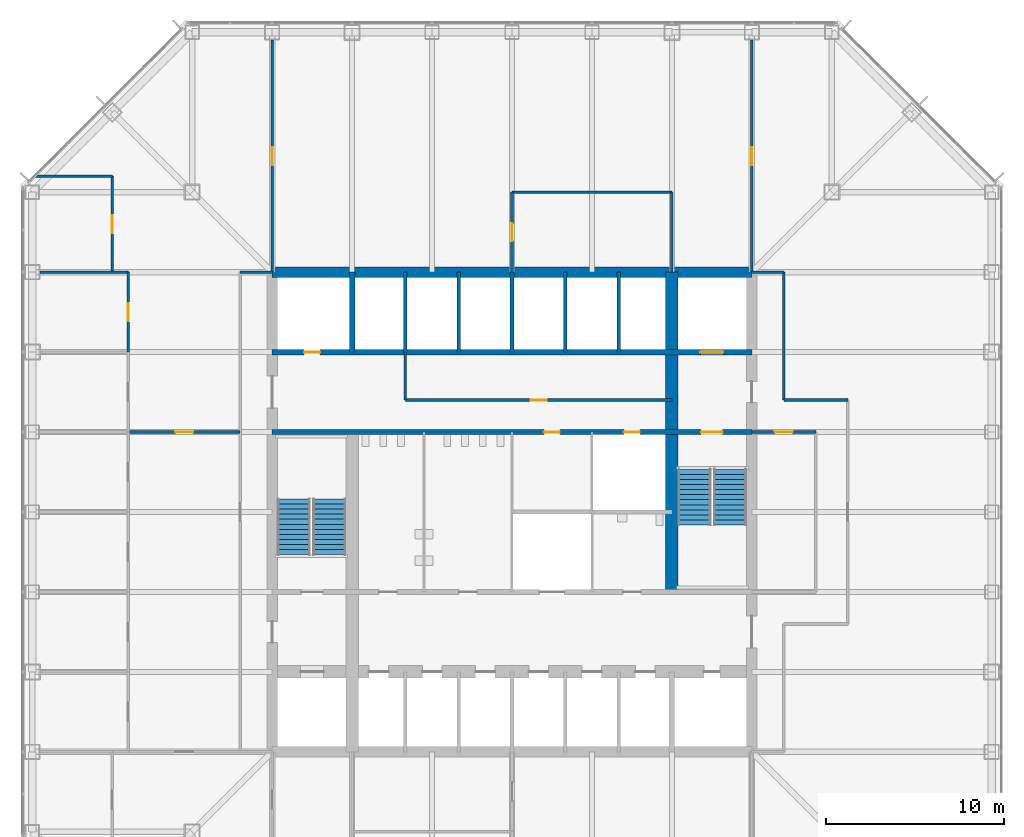
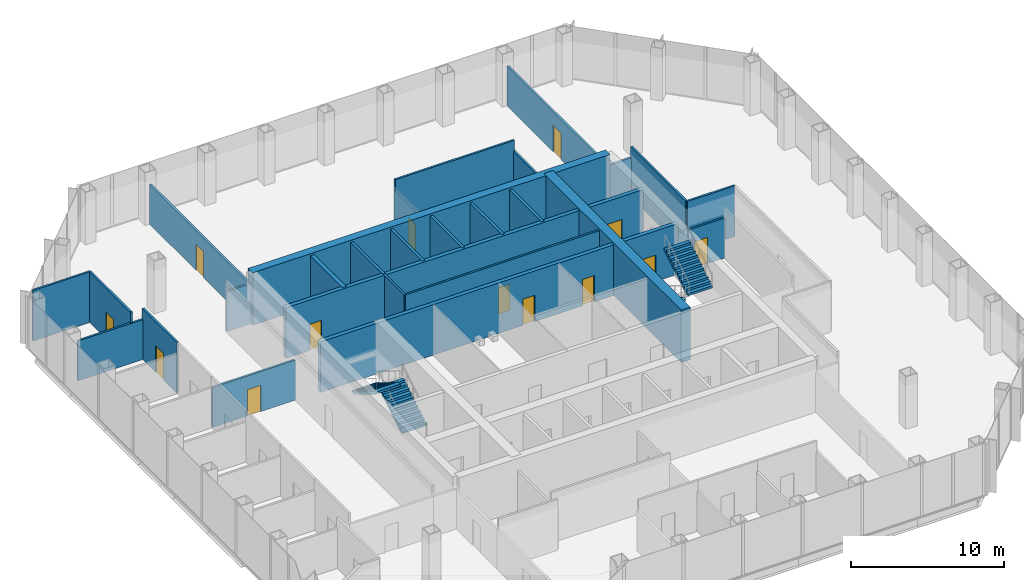
# One storey, part 10 of 12: 27 walls, 13 doors, 4 stair flights, 13 openings, 2 elements without a shape of their own.
"""IFC4 building model written with IfcOpenShell, lengths in metres."""

from ifc_helpers import new_model, si_unit, direction, frame, frame_2d, origin, place, context, subcontext, project, spatial, polyline, rectangle, outline, extrude, material, layer, layer_set, type_object, element, fill, aggregate, save


model = new_model("IFC4")

# Units and contexts
model_context = context("Model", 3, precision=1e-05, world=origin(), true_north=direction((0.0, 1.0)))
body_context = subcontext(model_context, "Body", "Model", "MODEL_VIEW")
ifc_project = project(units=[si_unit("LENGTHUNIT", "METRE"), si_unit("AREAUNIT", "SQUARE_METRE"), si_unit("VOLUMEUNIT", "CUBIC_METRE"), si_unit("PLANEANGLEUNIT", "RADIAN"), si_unit("MASSUNIT", "GRAM", prefix="KILO")], contexts=[model_context])

# Site, building, storey
site_placement = place(None, origin())
site = spatial("IfcSite", under=ifc_project, at=site_placement, CompositionType="ELEMENT")
building_placement = place(site_placement, origin())
building = spatial("IfcBuilding", under=site, at=building_placement, Name="Corais Broadcast Tower", CompositionType="ELEMENT")
storey_placement = place(building_placement, frame((0.0, 0.0, 92.0)))
storey = spatial("IfcBuildingStorey", under=building, at=storey_placement, Name="L20", CompositionType="ELEMENT", Elevation=92.0)

# Wall
ifc_material_1 = material(Name="Concrete blockwork class A, grouted, two-hour", Category="masonry")
ifc_layer_1 = layer(ifc_material_1, 0.300048828125)
ifc_layer_set_1 = layer_set([ifc_layer_1], Name="Concrete blockwork class A, grouted, two-hour")
wall_type_1 = type_object("IfcWallType", Name="Core lobby wall 300", PredefinedType="SOLIDWALL", material=ifc_layer_set_1)
wall_1_placement = place(storey_placement, frame((18.0, 36.0, 0.0), z_axis=(0.0, 0.0, 1.0), x_axis=(0.0, 1.0, 0.0)))
element("IfcWall", 1, at=wall_1_placement, inside=storey, type_object=wall_type_1, Name="CL1 core shaft wall X18B L20", PredefinedType="SOLIDWALL", context=body_context, shape_type="SweptSolid", body=[
    extrude(rectangle(XDim=4.5, YDim=0.300048828125, at=frame_2d((2.25, 0.0))), origin(), (0.0, 0.0, 1.0), 4.0400390625),
])

# Wall, openings, doors
wall_2_placement = place(storey_placement, frame((13.5, 31.5, 0.0), z_axis=(0.0, 0.0, 1.0), x_axis=(1.0, 0.0, 0.0)))
wall_2 = element("IfcWall", 2, at=wall_2_placement, inside=storey, type_object=wall_type_1, Name="CL1 core lobby wall Y315 L20", PredefinedType="SOLIDWALL", context=body_context, shape_type="SweptSolid", body=[
    extrude(rectangle(XDim=27.0, YDim=0.300048828125, at=frame_2d((13.5, 0.0))), origin(), (0.0, 0.0, 1.0), 4.0400390625),
])
opening_1_placement = place(wall_2_placement, frame((24.14990234375, 0.0, 0.0)))
opening_1 = element("IfcOpeningElement", 3, at=opening_1_placement, cuts=wall_2, Name="Opening FD1", PredefinedType="OPENING", context=body_context, shape_type="SweptSolid", body=[
    extrude(rectangle(XDim=1.199951171875, YDim=2.10009765625, at=frame_2d((0.60009765625, 1.050048828125))), frame((0.0, 0.159912109375, 0.0), z_axis=(0.0, -1.0, 0.0), x_axis=(1.0, 0.0, 0.0)), (0.0, 0.0, 1.0), 0.320068359375),
])
opening_2_placement = place(wall_2_placement, frame((15.300048828125, 0.0, 0.0)))
opening_2 = element("IfcOpeningElement", 4, at=opening_2_placement, cuts=wall_2, Name="Opening RD1", PredefinedType="OPENING", context=body_context, shape_type="SweptSolid", body=[
    extrude(rectangle(XDim=0.89990234375, YDim=2.10009765625, at=frame_2d((0.449951171875, 1.050048828125))), frame((0.0, 0.159912109375, 0.0), z_axis=(0.0, -1.0, 0.0), x_axis=(1.0, 0.0, 0.0)), (0.0, 0.0, 1.0), 0.320068359375),
])
opening_3_placement = place(wall_2_placement, frame((19.800048828125, 0.0, 0.0)))
opening_3 = element("IfcOpeningElement", 5, at=opening_3_placement, cuts=wall_2, Name="Opening RD1", PredefinedType="OPENING", context=body_context, shape_type="SweptSolid", body=[
    extrude(rectangle(XDim=0.89990234375, YDim=2.10009765625, at=frame_2d((0.449951171875, 1.050048828125))), frame((0.0, 0.159912109375, 0.0), z_axis=(0.0, -1.0, 0.0), x_axis=(1.0, 0.0, 0.0)), (0.0, 0.0, 1.0), 0.320068359375),
])
ifc_material_2 = material(Name="Steel fire door", Category="steel")
door_type_1 = type_object("IfcDoorType", Name="Fire door 1200x2100", OperationType="SINGLE_SWING_LEFT", PredefinedType="DOOR", material=ifc_material_2)
door_1_placement = place(opening_1_placement, origin())
door_1 = element("IfcDoor", 6, at=door_1_placement, inside=storey, type_object=door_type_1, Name="FD1 stair B door L20", OperationType="SINGLE_SWING_RIGHT", OverallHeight=2.10009765625, OverallWidth=1.199951171875, PredefinedType="DOOR", context=body_context, shape_type="SweptSolid", body=[
    extrude(rectangle(XDim=1.199951171875, YDim=2.10009765625, at=frame_2d((0.60009765625, 1.050048828125))), frame((0.0, 0.02490234375, 0.0), z_axis=(0.0, -1.0, 0.0), x_axis=(1.0, 0.0, 0.0)), (0.0, 0.0, 1.0), 0.050048828125),
])
fill(opening_1, door_1)
ifc_material_3 = material(Name="Steel fire door", Category="steel")
door_type_2 = type_object("IfcDoorType", Name="Riser door 900x2100", OperationType="SINGLE_SWING_LEFT", PredefinedType="DOOR", material=ifc_material_3)
door_2_placement = place(opening_2_placement, origin())
door_2 = element("IfcDoor", 7, at=door_2_placement, inside=storey, type_object=door_type_2, Name="RD1 cleaner's store door L20", OperationType="SINGLE_SWING_RIGHT", OverallHeight=2.10009765625, OverallWidth=0.89990234375, PredefinedType="DOOR", context=body_context, shape_type="SweptSolid", body=[
    extrude(rectangle(XDim=0.89990234375, YDim=2.10009765625, at=frame_2d((0.449951171875, 1.050048828125))), frame((0.0, 0.02490234375, 0.0), z_axis=(0.0, -1.0, 0.0), x_axis=(1.0, 0.0, 0.0)), (0.0, 0.0, 1.0), 0.050048828125),
])
fill(opening_2, door_2)
door_3_placement = place(opening_3_placement, origin())
door_3 = element("IfcDoor", 8, at=door_3_placement, inside=storey, type_object=door_type_2, Name="RD1 riser door L20", OperationType="SINGLE_SWING_RIGHT", OverallHeight=2.10009765625, OverallWidth=0.89990234375, PredefinedType="DOOR", context=body_context, shape_type="SweptSolid", body=[
    extrude(rectangle(XDim=0.89990234375, YDim=2.10009765625, at=frame_2d((0.449951171875, 1.050048828125))), frame((0.0, 0.02490234375, 0.0), z_axis=(0.0, -1.0, 0.0), x_axis=(1.0, 0.0, 0.0)), (0.0, 0.0, 1.0), 0.050048828125),
])
fill(opening_3, door_3)

# Walls
ifc_material_4 = material(Name="Concrete C50/60", Category="concrete")
ifc_layer_2 = layer(ifc_material_4, 0.699951171875)
ifc_layer_set_2 = layer_set([ifc_layer_2], Name="Concrete C50/60")
wall_type_2 = type_object("IfcWallType", Name="Core spine wall 700", PredefinedType="SHEAR", material=ifc_layer_set_2)
wall_3_placement = place(storey_placement, frame((36.0, 22.5, 0.0), z_axis=(0.0, 0.0, 1.0), x_axis=(0.0, 1.0, 0.0)))
element("IfcWall", 9, at=wall_3_placement, inside=storey, type_object=wall_type_2, Name="CR700 core wall X36B L20", PredefinedType="SHEAR", context=body_context, shape_type="SweptSolid", body=[
    extrude(rectangle(XDim=18.0, YDim=0.699951171875, at=frame_2d((9.0, 0.0))), origin(), (0.0, 0.0, 1.0), 4.199951171875),
])
ifc_material_5 = material(Name="Concrete C50/60", Category="concrete")
ifc_layer_3 = layer(ifc_material_5, 0.60009765625)
ifc_layer_set_3 = layer_set([ifc_layer_3], Name="Concrete C50/60")
wall_type_3 = type_object("IfcWallType", Name="Core wall 600", PredefinedType="SHEAR", material=ifc_layer_set_3)
wall_4_placement = place(storey_placement, frame((40.5, 40.5, 0.0), z_axis=(0.0, 0.0, 1.0), x_axis=(-1.0, 0.0, 0.0)))
element("IfcWall", 10, at=wall_4_placement, inside=storey, type_object=wall_type_3, Name="CR600 core wall N L20", PredefinedType="SHEAR", context=body_context, shape_type="SweptSolid", body=[
    extrude(rectangle(XDim=27.0, YDim=0.60009765625, at=frame_2d((13.5, 0.0))), origin(), (0.0, 0.0, 1.0), 4.199951171875),
])

# Wall, openings, doors
ifc_material_6 = material(Name="Concrete blockwork class A, grouted, four-hour", Category="masonry")
ifc_layer_4 = layer(ifc_material_6, 0.300048828125)
ifc_layer_set_4 = layer_set([ifc_layer_4], Name="Concrete blockwork class A, grouted, four-hour")
wall_type_4 = type_object("IfcWallType", Name="Emergency lift shaft wall 300", PredefinedType="SOLIDWALL", material=ifc_layer_set_4)
wall_5_placement = place(storey_placement, frame((13.5, 36.0, 0.0), z_axis=(0.0, 0.0, 1.0), x_axis=(1.0, 0.0, 0.0)))
wall_5 = element("IfcWall", 11, at=wall_5_placement, inside=storey, type_object=wall_type_4, Name="LS1 core lobby wall Y36 L20", PredefinedType="SOLIDWALL", context=body_context, shape_type="SweptSolid", body=[
    extrude(rectangle(XDim=27.0, YDim=0.300048828125, at=frame_2d((13.5, 0.0))), origin(), (0.0, 0.0, 1.0), 4.0400390625),
])
opening_4_placement = place(wall_5_placement, frame((1.800048828125, 0.0, 0.0)))
opening_4 = element("IfcOpeningElement", 12, at=opening_4_placement, cuts=wall_5, Name="Opening RD1", PredefinedType="OPENING", context=body_context, shape_type="SweptSolid", body=[
    extrude(rectangle(XDim=0.89990234375, YDim=2.10009765625, at=frame_2d((0.449951171875, 1.050048828125))), frame((0.0, 0.159912109375, 0.0), z_axis=(0.0, -1.0, 0.0), x_axis=(1.0, 0.0, 0.0)), (0.0, 0.0, 1.0), 0.320068359375),
])
opening_5_placement = place(wall_5_placement, frame((24.10009765625, 0.0, 0.0)))
opening_5 = element("IfcOpeningElement", 13, at=opening_5_placement, cuts=wall_5, Name="Opening LD2", PredefinedType="OPENING", context=body_context, shape_type="SweptSolid", body=[
    extrude(rectangle(XDim=1.300048828125, YDim=2.199951171875, at=frame_2d((0.64990234375, 1.10009765625))), frame((0.0, 0.159912109375, 0.0), z_axis=(0.0, -1.0, 0.0), x_axis=(1.0, 0.0, 0.0)), (0.0, 0.0, 1.0), 0.320068359375),
])
ifc_material_7 = material(Name="Stainless steel lift door", Category="steel")
door_type_3 = type_object("IfcDoorType", Name="Lift landing door 1300x2200", OperationType="SLIDING_TO_LEFT", PredefinedType="DOOR", material=ifc_material_7)
door_4_placement = place(opening_5_placement, origin())
door_4 = element("IfcDoor", 14, at=door_4_placement, inside=storey, type_object=door_type_3, Name="LD2 FL2 landing door L20", OperationType="SLIDING_TO_LEFT", OverallHeight=2.199951171875, OverallWidth=1.300048828125, PredefinedType="DOOR", context=body_context, shape_type="SweptSolid", body=[
    extrude(rectangle(XDim=1.300048828125, YDim=2.199951171875, at=frame_2d((0.64990234375, 1.10009765625))), frame((0.0, 0.02490234375, 0.0), z_axis=(0.0, -1.0, 0.0), x_axis=(1.0, 0.0, 0.0)), (0.0, 0.0, 1.0), 0.050048828125),
])
fill(opening_5, door_4)
door_5_placement = place(opening_4_placement, origin())
door_5 = element("IfcDoor", 15, at=door_5_placement, inside=storey, type_object=door_type_2, Name="RD1 riser door L20", OperationType="SINGLE_SWING_LEFT", OverallHeight=2.10009765625, OverallWidth=0.89990234375, PredefinedType="DOOR", context=body_context, shape_type="SweptSolid", body=[
    extrude(rectangle(XDim=0.89990234375, YDim=2.10009765625, at=frame_2d((0.449951171875, 1.050048828125))), frame((0.0, 0.02490234375, 0.0), z_axis=(0.0, -1.0, 0.0), x_axis=(1.0, 0.0, 0.0)), (0.0, 0.0, 1.0), 0.050048828125),
])
fill(opening_4, door_5)

# Wall, opening, door
ifc_material_8 = material(Name="Two layers of fire-rated gypsum board each side on steel studs", Category="steel")
ifc_layer_5 = layer(ifc_material_8, 0.14990234375)
ifc_layer_set_5 = layer_set([ifc_layer_5], Name="Two layers of fire-rated gypsum board each side on steel studs")
wall_type_5 = type_object("IfcWallType", Name="Fire-rated partition 150 EI 60", PredefinedType="PARTITIONING", material=ifc_layer_set_5)
wall_6_placement = place(storey_placement, frame((21.0, 33.300048828125, 0.0), z_axis=(0.0, 0.0, 1.0), x_axis=(1.0, 0.0, 0.0)))
wall_6 = element("IfcWall", 16, at=wall_6_placement, inside=storey, type_object=wall_type_5, Name="IW7 partition L20", PredefinedType="PARTITIONING", context=body_context, shape_type="SweptSolid", body=[
    extrude(rectangle(XDim=15.0, YDim=0.14990234375, at=frame_2d((7.5, 0.0))), origin(), (0.0, 0.0, 1.0), 4.0400390625),
])
opening_6_placement = place(wall_6_placement, frame((7.050048828125, 0.0, 0.0)))
opening_6 = element("IfcOpeningElement", 17, at=opening_6_placement, cuts=wall_6, Name="Opening RD1", PredefinedType="OPENING", context=body_context, shape_type="SweptSolid", body=[
    extrude(rectangle(XDim=0.89990234375, YDim=2.10009765625, at=frame_2d((0.449951171875, 1.050048828125))), frame((0.0, 0.0849609375, 0.0), z_axis=(0.0, -1.0, 0.0), x_axis=(1.0, 0.0, 0.0)), (0.0, 0.0, 1.0), 0.169921875),
])
door_6_placement = place(opening_6_placement, origin())
door_6 = element("IfcDoor", 18, at=door_6_placement, inside=storey, type_object=door_type_2, Name="RD1 av equipment room door L20", OperationType="SINGLE_SWING_LEFT", OverallHeight=2.10009765625, OverallWidth=0.89990234375, PredefinedType="DOOR", context=body_context, shape_type="SweptSolid", body=[
    extrude(rectangle(XDim=0.89990234375, YDim=2.10009765625, at=frame_2d((0.449951171875, 1.050048828125))), frame((0.0, 0.02490234375, 0.0), z_axis=(0.0, -1.0, 0.0), x_axis=(1.0, 0.0, 0.0)), (0.0, 0.0, 1.0), 0.050048828125),
])
fill(opening_6, door_6)

# Walls
wall_7_placement = place(storey_placement, frame((21.0, 33.300048828125, 0.0), z_axis=(0.0, 0.0, 1.0), x_axis=(0.0, 1.0, 0.0)))
element("IfcWall", 19, at=wall_7_placement, inside=storey, type_object=wall_type_5, Name="IW7 partition L20", PredefinedType="PARTITIONING", context=body_context, shape_type="SweptSolid", body=[
    extrude(rectangle(XDim=2.699951171875, YDim=0.14990234375, at=frame_2d((1.35009765625, 0.0))), origin(), (0.0, 0.0, 1.0), 4.0400390625),
])
ifc_material_9 = material(Name="Gypsum board on steel studs", Category="steel")
ifc_layer_6 = layer(ifc_material_9, 0.14990234375)
ifc_layer_set_6 = layer_set([ifc_layer_6], Name="Gypsum board on steel studs")
wall_type_6 = type_object("IfcWallType", Name="Partition 150", PredefinedType="PARTITIONING", material=ifc_layer_set_6)
wall_8_placement = place(storey_placement, frame((42.300048828125, 33.300048828125, 0.0), z_axis=(0.0, 0.0, 1.0), x_axis=(0.0, 1.0, 0.0)))
element("IfcWall", 20, at=wall_8_placement, inside=storey, type_object=wall_type_6, Name="IW3 corridor wall L20", PredefinedType="PARTITIONING", context=body_context, shape_type="SweptSolid", body=[
    extrude(rectangle(XDim=7.199951171875, YDim=0.14990234375, at=frame_2d((3.60009765625, 0.0))), origin(), (0.0, 0.0, 1.0), 4.0400390625),
])
wall_9_placement = place(storey_placement, frame((45.89990234375, 33.300048828125, 0.0), z_axis=(0.0, 0.0, 1.0), x_axis=(-1.0, 0.0, 0.0)))
element("IfcWall", 21, at=wall_9_placement, inside=storey, type_object=wall_type_6, Name="IW3 corridor wall L20", PredefinedType="PARTITIONING", context=body_context, shape_type="SweptSolid", body=[
    extrude(rectangle(XDim=3.599853515625, YDim=0.14990234375, at=frame_2d((1.7998046875, 0.0))), origin(), (0.0, 0.0, 1.0), 4.0400390625),
])
for number, where, z_axis, x_axis, name in (
    (22, (13.510009765625, 40.5, 0.0), (0.0, 0.0, 1.0), (-1.0, 0.0, 0.0), "IW3 corridor wall L20"),
    (23, (42.300048828125, 40.5, 0.0), (0.0, 0.0, 1.0), (-1.0, 0.0, 0.0), "IW3 corridor wall L20"),
):
    element("IfcWall", number, at=place(storey_placement, frame(where, z_axis=z_axis, x_axis=x_axis)), inside=storey, type_object=wall_type_6, Name=name, PredefinedType="PARTITIONING", context=body_context, shape_type="SweptSolid", body=[
        extrude(rectangle(XDim=1.81005859375, YDim=0.14990234375, at=frame_2d((0.905029296875, 0.0))), origin(), (0.0, 0.0, 1.0), 3.18896484375),
    ])

# Wall, opening, door
wall_10_placement = place(storey_placement, frame((5.39990234375, 36.0, 0.0), z_axis=(0.0, 0.0, 1.0), x_axis=(0.0, 1.0, 0.0)))
wall_10 = element("IfcWall", 24, at=wall_10_placement, inside=storey, type_object=wall_type_6, Name="IW3 partition L20", PredefinedType="PARTITIONING", context=body_context, shape_type="SweptSolid", body=[
    extrude(rectangle(XDim=4.5, YDim=0.14990234375, at=frame_2d((2.25, 0.0))), origin(), (0.0, 0.0, 1.0), 4.0400390625),
])
opening_7_placement = place(wall_10_placement, frame((1.75, 0.0, 0.0)))
opening_7 = element("IfcOpeningElement", 25, at=opening_7_placement, cuts=wall_10, Name="Opening D1", PredefinedType="OPENING", context=body_context, shape_type="SweptSolid", body=[
    extrude(rectangle(XDim=1.0, YDim=2.10009765625, at=frame_2d((0.5, 1.050048828125))), frame((0.0, 0.0849609375, 0.0), z_axis=(0.0, -1.0, 0.0), x_axis=(1.0, 0.0, 0.0)), (0.0, 0.0, 1.0), 0.169921875),
])
ifc_material_10 = material(Name="Timber door", Category="wood")
door_type_4 = type_object("IfcDoorType", Name="Single door 1000x2100", OperationType="SINGLE_SWING_LEFT", PredefinedType="DOOR", material=ifc_material_10)
door_7_placement = place(opening_7_placement, origin())
door_7 = element("IfcDoor", 26, at=door_7_placement, inside=storey, type_object=door_type_4, Name="D1 Office door", OperationType="SINGLE_SWING_LEFT", OverallHeight=2.10009765625, OverallWidth=1.0, PredefinedType="DOOR", context=body_context, shape_type="SweptSolid", body=[
    extrude(rectangle(XDim=1.0, YDim=2.10009765625, at=frame_2d((0.5, 1.050048828125))), frame((0.0, 0.02490234375, 0.0), z_axis=(0.0, -1.0, 0.0), x_axis=(1.0, 0.0, 0.0)), (0.0, 0.0, 1.0), 0.050048828125),
])
fill(opening_7, door_7)

# Wall
wall_11_placement = place(storey_placement, frame((5.39990234375, 40.5, 0.0), z_axis=(0.0, 0.0, 1.0), x_axis=(-1.0, 0.0, 0.0)))
element("IfcWall", 27, at=wall_11_placement, inside=storey, type_object=wall_type_6, Name="IW3 partition L20", PredefinedType="PARTITIONING", context=body_context, shape_type="SweptSolid", body=[
    extrude(rectangle(XDim=4.96484375, YDim=0.14990234375, at=frame_2d((2.482421875, 0.0))), origin(), (0.0, 0.0, 1.0), 3.18896484375),
])

# Wall, opening, door
wall_12_placement = place(storey_placement, frame((4.5, 40.5, 0.0), z_axis=(0.0, 0.0, 1.0), x_axis=(0.0, 1.0, 0.0)))
wall_12 = element("IfcWall", 28, at=wall_12_placement, inside=storey, type_object=wall_type_6, Name="IW3 partition L20", PredefinedType="PARTITIONING", context=body_context, shape_type="SweptSolid", body=[
    extrude(rectangle(XDim=5.39990234375, YDim=0.14990234375, at=frame_2d((2.699951171875, 0.0))), origin(), (0.0, 0.0, 1.0), 4.0400390625),
])
opening_8_placement = place(wall_12_placement, frame((2.199951171875, 0.0, 0.0)))
opening_8 = element("IfcOpeningElement", 29, at=opening_8_placement, cuts=wall_12, Name="Opening D1", PredefinedType="OPENING", context=body_context, shape_type="SweptSolid", body=[
    extrude(rectangle(XDim=1.0, YDim=2.10009765625, at=frame_2d((0.5, 1.050048828125))), frame((0.0, 0.0849609375, 0.0), z_axis=(0.0, -1.0, 0.0), x_axis=(1.0, 0.0, 0.0)), (0.0, 0.0, 1.0), 0.169921875),
])
door_8_placement = place(opening_8_placement, origin())
door_8 = element("IfcDoor", 30, at=door_8_placement, inside=storey, type_object=door_type_4, Name="D1 Office door", OperationType="SINGLE_SWING_LEFT", OverallHeight=2.10009765625, OverallWidth=1.0, PredefinedType="DOOR", context=body_context, shape_type="SweptSolid", body=[
    extrude(rectangle(XDim=1.0, YDim=2.10009765625, at=frame_2d((0.5, 1.050048828125))), frame((0.0, 0.02490234375, 0.0), z_axis=(0.0, -1.0, 0.0), x_axis=(1.0, 0.0, 0.0)), (0.0, 0.0, 1.0), 0.050048828125),
])
fill(opening_8, door_8)

# Wall
wall_13_placement = place(storey_placement, frame((4.5, 45.89990234375, 0.0), z_axis=(0.0, 0.0, 1.0), x_axis=(-1.0, 0.0, 0.0)))
element("IfcWall", 31, at=wall_13_placement, inside=storey, type_object=wall_type_6, Name="IW3 partition L20", PredefinedType="PARTITIONING", context=body_context, shape_type="SweptSolid", body=[
    extrude(rectangle(XDim=4.33544921875, YDim=0.14990234375, at=frame_2d((2.167724609375, 0.0))), origin(), (0.0, 0.0, 1.0), 4.0400390625),
])

# Wall, opening, door
wall_14_placement = place(storey_placement, frame((44.10009765625, 31.5, 0.0), z_axis=(0.0, 0.0, 1.0), x_axis=(-1.0, 0.0, 0.0)))
wall_14 = element("IfcWall", 32, at=wall_14_placement, inside=storey, type_object=wall_type_6, Name="IW3 partition L20", PredefinedType="PARTITIONING", context=body_context, shape_type="SweptSolid", body=[
    extrude(rectangle(XDim=3.60009765625, YDim=0.14990234375, at=frame_2d((1.800048828125, 0.0))), origin(), (0.0, 0.0, 1.0), 3.18896484375),
])
opening_9_placement = place(wall_14_placement, frame((1.300048828125, 0.0, 0.0)))
opening_9 = element("IfcOpeningElement", 33, at=opening_9_placement, cuts=wall_14, Name="Opening D1", PredefinedType="OPENING", context=body_context, shape_type="SweptSolid", body=[
    extrude(rectangle(XDim=1.0, YDim=2.10009765625, at=frame_2d((0.5, 1.050048828125))), frame((0.0, 0.0849609375, 0.0), z_axis=(0.0, -1.0, 0.0), x_axis=(1.0, 0.0, 0.0)), (0.0, 0.0, 1.0), 0.169921875),
])
door_9_placement = place(opening_9_placement, origin())
door_9 = element("IfcDoor", 34, at=door_9_placement, inside=storey, type_object=door_type_4, Name="D1 Pantry door", OperationType="SINGLE_SWING_LEFT", OverallHeight=2.10009765625, OverallWidth=1.0, PredefinedType="DOOR", context=body_context, shape_type="SweptSolid", body=[
    extrude(rectangle(XDim=1.0, YDim=2.10009765625, at=frame_2d((0.5, 1.050048828125))), frame((0.0, 0.02490234375, 0.0), z_axis=(0.0, -1.0, 0.0), x_axis=(1.0, 0.0, 0.0)), (0.0, 0.0, 1.0), 0.050048828125),
])
fill(opening_9, door_9)

# Walls
wall_15_placement = place(storey_placement, frame((36.0, 40.5, 0.0), z_axis=(0.0, 0.0, 1.0), x_axis=(0.0, 1.0, 0.0)))
element("IfcWall", 35, at=wall_15_placement, inside=storey, type_object=wall_type_6, Name="IW3 partition L20", PredefinedType="PARTITIONING", context=body_context, shape_type="SweptSolid", body=[
    extrude(rectangle(XDim=4.5, YDim=0.14990234375, at=frame_2d((2.25, 0.0))), origin(), (0.0, 0.0, 1.0), 3.18896484375),
])
wall_16_placement = place(storey_placement, frame((36.0, 45.0, 0.0), z_axis=(0.0, 0.0, 1.0), x_axis=(-1.0, 0.0, 0.0)))
element("IfcWall", 36, at=wall_16_placement, inside=storey, type_object=wall_type_6, Name="IW3 partition L20", PredefinedType="PARTITIONING", context=body_context, shape_type="SweptSolid", body=[
    extrude(rectangle(XDim=9.0, YDim=0.14990234375, at=frame_2d((4.5, 0.0))), origin(), (0.0, 0.0, 1.0), 4.0400390625),
])

# Wall, opening, door
wall_17_placement = place(storey_placement, frame((27.0, 45.0, 0.0), z_axis=(0.0, 0.0, 1.0), x_axis=(0.0, -1.0, 0.0)))
wall_17 = element("IfcWall", 37, at=wall_17_placement, inside=storey, type_object=wall_type_6, Name="IW3 partition L20", PredefinedType="PARTITIONING", context=body_context, shape_type="SweptSolid", body=[
    extrude(rectangle(XDim=4.5, YDim=0.14990234375, at=frame_2d((2.25, 0.0))), origin(), (0.0, 0.0, 1.0), 3.18896484375),
])
opening_10_placement = place(wall_17_placement, frame((1.75, 0.0, 0.0)))
opening_10 = element("IfcOpeningElement", 38, at=opening_10_placement, cuts=wall_17, Name="Opening D1", PredefinedType="OPENING", context=body_context, shape_type="SweptSolid", body=[
    extrude(rectangle(XDim=1.0, YDim=2.10009765625, at=frame_2d((0.5, 1.050048828125))), frame((0.0, 0.0849609375, 0.0), z_axis=(0.0, -1.0, 0.0), x_axis=(1.0, 0.0, 0.0)), (0.0, 0.0, 1.0), 0.169921875),
])
door_10_placement = place(opening_10_placement, origin())
door_10 = element("IfcDoor", 39, at=door_10_placement, inside=storey, type_object=door_type_4, Name="D1 Meeting room door", OperationType="SINGLE_SWING_LEFT", OverallHeight=2.10009765625, OverallWidth=1.0, PredefinedType="DOOR", context=body_context, shape_type="SweptSolid", body=[
    extrude(rectangle(XDim=1.0, YDim=2.10009765625, at=frame_2d((0.5, 1.050048828125))), frame((0.0, 0.02490234375, 0.0), z_axis=(0.0, -1.0, 0.0), x_axis=(1.0, 0.0, 0.0)), (0.0, 0.0, 1.0), 0.050048828125),
])
fill(opening_10, door_10)

wall_18_placement = place(storey_placement, frame((40.5, 53.554931640625, 0.0), z_axis=(0.0, 0.0, 1.0), x_axis=(0.0, -1.0, 0.0)))
wall_18 = element("IfcWall", 40, at=wall_18_placement, inside=storey, type_object=wall_type_6, Name="IW3 partition L20", PredefinedType="PARTITIONING", context=body_context, shape_type="SweptSolid", body=[
    extrude(rectangle(XDim=13.054931640625, YDim=0.14990234375, at=frame_2d((6.52734375, 0.0))), origin(), (0.0, 0.0, 1.0), 3.18896484375),
])
opening_11_placement = place(wall_18_placement, frame((6.027587890625, 0.0, 0.0)))
opening_11 = element("IfcOpeningElement", 41, at=opening_11_placement, cuts=wall_18, Name="Opening D1", PredefinedType="OPENING", context=body_context, shape_type="SweptSolid", body=[
    extrude(rectangle(XDim=1.0, YDim=2.10009765625, at=frame_2d((0.5, 1.050048828125))), frame((0.0, 0.0849609375, 0.0), z_axis=(0.0, -1.0, 0.0), x_axis=(1.0, 0.0, 0.0)), (0.0, 0.0, 1.0), 0.169921875),
])
door_11_placement = place(opening_11_placement, origin())
door_11 = element("IfcDoor", 42, at=door_11_placement, inside=storey, type_object=door_type_4, Name="D1 team room door L20", OperationType="SINGLE_SWING_LEFT", OverallHeight=2.10009765625, OverallWidth=1.0, PredefinedType="DOOR", context=body_context, shape_type="SweptSolid", body=[
    extrude(rectangle(XDim=1.0, YDim=2.10009765625, at=frame_2d((0.5, 1.050048828125))), frame((0.0, 0.02490234375, 0.0), z_axis=(0.0, -1.0, 0.0), x_axis=(1.0, 0.0, 0.0)), (0.0, 0.0, 1.0), 0.050048828125),
])
fill(opening_11, door_11)

wall_19_placement = place(storey_placement, frame((13.5, 40.5, 0.0), z_axis=(0.0, 0.0, 1.0), x_axis=(0.0, 1.0, 0.0)))
wall_19 = element("IfcWall", 43, at=wall_19_placement, inside=storey, type_object=wall_type_6, Name="IW3 partition L20", PredefinedType="PARTITIONING", context=body_context, shape_type="SweptSolid", body=[
    extrude(rectangle(XDim=13.054931640625, YDim=0.14990234375, at=frame_2d((6.52734375, 0.0))), origin(), (0.0, 0.0, 1.0), 3.18896484375),
])
opening_12_placement = place(wall_19_placement, frame((6.027587890625, 0.0, 0.0)))
opening_12 = element("IfcOpeningElement", 44, at=opening_12_placement, cuts=wall_19, Name="Opening D1", PredefinedType="OPENING", context=body_context, shape_type="SweptSolid", body=[
    extrude(rectangle(XDim=1.0, YDim=2.10009765625, at=frame_2d((0.5, 1.050048828125))), frame((0.0, 0.0849609375, 0.0), z_axis=(0.0, -1.0, 0.0), x_axis=(1.0, 0.0, 0.0)), (0.0, 0.0, 1.0), 0.169921875),
])
door_12_placement = place(opening_12_placement, origin())
door_12 = element("IfcDoor", 45, at=door_12_placement, inside=storey, type_object=door_type_4, Name="D1 team room door L20", OperationType="SINGLE_SWING_LEFT", OverallHeight=2.10009765625, OverallWidth=1.0, PredefinedType="DOOR", context=body_context, shape_type="SweptSolid", body=[
    extrude(rectangle(XDim=1.0, YDim=2.10009765625, at=frame_2d((0.5, 1.050048828125))), frame((0.0, 0.02490234375, 0.0), z_axis=(0.0, -1.0, 0.0), x_axis=(1.0, 0.0, 0.0)), (0.0, 0.0, 1.0), 0.050048828125),
])
fill(opening_12, door_12)

wall_20_placement = place(storey_placement, frame((11.699951171875, 31.5, 0.0), z_axis=(0.0, 0.0, 1.0), x_axis=(-1.0, 0.0, 0.0)))
wall_20 = element("IfcWall", 46, at=wall_20_placement, inside=storey, type_object=wall_type_6, Name="IW3 partition L20", PredefinedType="PARTITIONING", context=body_context, shape_type="SweptSolid", body=[
    extrude(rectangle(XDim=6.300048828125, YDim=0.14990234375, at=frame_2d((3.14990234375, 0.0))), origin(), (0.0, 0.0, 1.0), 3.18896484375),
])
opening_13_placement = place(wall_20_placement, frame((2.64990234375, 0.0, 0.0)))
opening_13 = element("IfcOpeningElement", 47, at=opening_13_placement, cuts=wall_20, Name="Opening D1", PredefinedType="OPENING", context=body_context, shape_type="SweptSolid", body=[
    extrude(rectangle(XDim=1.0, YDim=2.10009765625, at=frame_2d((0.5, 1.050048828125))), frame((0.0, 0.0849609375, 0.0), z_axis=(0.0, -1.0, 0.0), x_axis=(1.0, 0.0, 0.0)), (0.0, 0.0, 1.0), 0.169921875),
])
door_13_placement = place(opening_13_placement, origin())
door_13 = element("IfcDoor", 48, at=door_13_placement, inside=storey, type_object=door_type_4, Name="D1 team room door L20", OperationType="SINGLE_SWING_LEFT", OverallHeight=2.10009765625, OverallWidth=1.0, PredefinedType="DOOR", context=body_context, shape_type="SweptSolid", body=[
    extrude(rectangle(XDim=1.0, YDim=2.10009765625, at=frame_2d((0.5, 1.050048828125))), frame((0.0, 0.02490234375, 0.0), z_axis=(0.0, -1.0, 0.0), x_axis=(1.0, 0.0, 0.0)), (0.0, 0.0, 1.0), 0.050048828125),
])
fill(opening_13, door_13)

# Walls
ifc_material_11 = material(Name="Concrete blockwork class A, grouted, two-hour", Category="masonry")
ifc_layer_7 = layer(ifc_material_11, 0.199951171875)
ifc_layer_set_7 = layer_set([ifc_layer_7], Name="Concrete blockwork class A, grouted, two-hour")
wall_type_7 = type_object("IfcWallType", Name="Shaft wall 200", PredefinedType="PARTITIONING", material=ifc_layer_set_7)
for number, where, z_axis, x_axis, name in (
    (49, (21.0, 36.0, 0.0), (0.0, 0.0, 1.0), (0.0, 1.0, 0.0), "IW1 shaft wall L20"),
    (50, (24.0, 36.0, 0.0), (0.0, 0.0, 1.0), (0.0, 1.0, 0.0), "IW1 shaft wall L20"),
    (51, (27.0, 36.0, 0.0), (0.0, 0.0, 1.0), (0.0, 1.0, 0.0), "IW1 shaft wall L20"),
    (52, (30.0, 36.0, 0.0), (0.0, 0.0, 1.0), (0.0, 1.0, 0.0), "IW1 shaft wall L20"),
    (53, (33.0, 36.0, 0.0), (0.0, 0.0, 1.0), (0.0, 1.0, 0.0), "IW1 shaft wall L20"),
):
    element("IfcWall", number, at=place(storey_placement, frame(where, z_axis=z_axis, x_axis=x_axis)), inside=storey, type_object=wall_type_7, Name=name, PredefinedType="PARTITIONING", context=body_context, shape_type="SweptSolid", body=[
        extrude(rectangle(XDim=4.5, YDim=0.199951171875, at=frame_2d((2.25, 0.0))), origin(), (0.0, 0.0, 1.0), 4.0400390625),
    ])

# Stair, stair flights
ifc_material_12 = material(Name="Concrete C30/37", Category="concrete")
stair_type = type_object("IfcStairType", Name="Half-turn stair 4200", PredefinedType="HALF_TURN_STAIR", material=ifc_material_12)
stair_1_placement = place(storey_placement, origin())
stair_1 = element("IfcStair", 54, at=stair_1_placement, inside=storey, type_object=stair_type, Name="Stair A L20", PredefinedType="HALF_TURN_STAIR")
ifc_material_13 = material(Name="Concrete C30/37", Category="concrete")
stair_flight_type = type_object("IfcStairFlightType", Name="Stair flight 4200", PredefinedType="STRAIGHT", material=ifc_material_13)
stair_flight_1_placement = place(storey_placement, frame((16.72509765625, 24.60009765625, 0.0), z_axis=(0.0, 0.0, 1.0), x_axis=(0.0, 1.0, 0.0)))
stair_flight_1 = element("IfcStairFlight", 55, at=stair_flight_1_placement, type_object=stair_flight_type, Name="STA flight 1", NumberOfRisers=12, NumberOfTreads=11, PredefinedType="STRAIGHT", RiserHeight=0.175, TreadLength=0.285, context=body_context, shape_type="SweptSolid", body=[
    extrude(outline(polyline([(0.0, 0.0), (0.0, 0.175048828125), (0.284912109375, 0.175048828125), (0.284912109375, 0.35009765625), (0.570068359375, 0.35009765625), (0.570068359375, 0.52490234375), (0.85498046875, 0.52490234375), (0.85498046875, 0.699951171875), (1.139892578125, 0.699951171875), (1.139892578125, 0.875), (1.425048828125, 0.875), (1.425048828125, 1.050048828125), (1.7099609375, 1.050048828125), (1.7099609375, 1.22509765625), (1.9951171875, 1.22509765625), (1.9951171875, 1.39990234375), (2.280029296875, 1.39990234375), (2.280029296875, 1.574951171875), (2.56494140625, 1.574951171875), (2.56494140625, 1.75), (2.85009765625, 1.75), (2.85009765625, 1.925048828125), (3.135009765625, 1.925048828125), (3.135009765625, 2.10009765625), (3.135009765625, 1.7490234375), (0.286376953125, 0.0), (0.0, 0.0)])), frame((0.0, 0.925048828125, 0.0), z_axis=(0.0, -1.0, 0.0), x_axis=(1.0, 0.0, 0.0)), (0.0, 0.0, 1.0), 1.85009765625),
])
stair_flight_2_placement = place(storey_placement, frame((14.72509765625, 27.735107421875, 2.10009765625), z_axis=(0.0, 0.0, 1.0), x_axis=(0.0, -1.0, 0.0)))
stair_flight_2 = element("IfcStairFlight", 56, at=stair_flight_2_placement, type_object=stair_flight_type, Name="STA flight 2", NumberOfRisers=12, NumberOfTreads=11, PredefinedType="STRAIGHT", RiserHeight=0.175, TreadLength=0.285, context=body_context, shape_type="SweptSolid", body=[
    extrude(outline(polyline([(0.0, 0.0), (0.0, 0.175048828125), (0.284912109375, 0.175048828125), (0.284912109375, 0.35009765625), (0.570068359375, 0.35009765625), (0.570068359375, 0.52490234375), (0.85498046875, 0.52490234375), (0.85498046875, 0.699951171875), (1.139892578125, 0.699951171875), (1.139892578125, 0.875), (1.425048828125, 0.875), (1.425048828125, 1.050048828125), (1.7099609375, 1.050048828125), (1.7099609375, 1.22509765625), (1.9951171875, 1.22509765625), (1.9951171875, 1.39990234375), (2.280029296875, 1.39990234375), (2.280029296875, 1.574951171875), (2.56494140625, 1.574951171875), (2.56494140625, 1.75), (2.85009765625, 1.75), (2.85009765625, 1.925048828125), (3.135009765625, 1.925048828125), (3.135009765625, 2.10009765625), (3.135009765625, 1.7490234375), (0.286376953125, 0.0), (0.0, 0.0)])), frame((0.0, 0.925048828125, 0.0), z_axis=(0.0, -1.0, 0.0), x_axis=(1.0, 0.0, 0.0)), (0.0, 0.0, 1.0), 1.85009765625),
])
aggregate(stair_1, [stair_flight_1, stair_flight_2])

stair_2_placement = place(storey_placement, origin())
stair_2 = element("IfcStair", 57, at=stair_2_placement, inside=storey, type_object=stair_type, Name="Stair B L20", PredefinedType="HALF_TURN_STAIR")
stair_flight_3_placement = place(storey_placement, frame((37.27490234375, 29.39990234375, 0.0), z_axis=(0.0, 0.0, 1.0), x_axis=(0.0, -1.0, 0.0)))
stair_flight_3 = element("IfcStairFlight", 58, at=stair_flight_3_placement, type_object=stair_flight_type, Name="STB flight 1", NumberOfRisers=12, NumberOfTreads=11, PredefinedType="STRAIGHT", RiserHeight=0.175, TreadLength=0.285, context=body_context, shape_type="SweptSolid", body=[
    extrude(outline(polyline([(0.0, 0.0), (0.0, 0.175048828125), (0.284912109375, 0.175048828125), (0.284912109375, 0.35009765625), (0.570068359375, 0.35009765625), (0.570068359375, 0.52490234375), (0.85498046875, 0.52490234375), (0.85498046875, 0.699951171875), (1.139892578125, 0.699951171875), (1.139892578125, 0.875), (1.425048828125, 0.875), (1.425048828125, 1.050048828125), (1.7099609375, 1.050048828125), (1.7099609375, 1.22509765625), (1.9951171875, 1.22509765625), (1.9951171875, 1.39990234375), (2.280029296875, 1.39990234375), (2.280029296875, 1.574951171875), (2.56494140625, 1.574951171875), (2.56494140625, 1.75), (2.85009765625, 1.75), (2.85009765625, 1.925048828125), (3.135009765625, 1.925048828125), (3.135009765625, 2.10009765625), (3.135009765625, 1.7490234375), (0.286376953125, 0.0), (0.0, 0.0)])), frame((0.0, 0.925048828125, 0.0), z_axis=(0.0, -1.0, 0.0), x_axis=(1.0, 0.0, 0.0)), (0.0, 0.0, 1.0), 1.85009765625),
])
stair_flight_4_placement = place(storey_placement, frame((39.27490234375, 26.264892578125, 2.10009765625), z_axis=(0.0, 0.0, 1.0), x_axis=(0.0, 1.0, 0.0)))
stair_flight_4 = element("IfcStairFlight", 59, at=stair_flight_4_placement, type_object=stair_flight_type, Name="STB flight 2", NumberOfRisers=12, NumberOfTreads=11, PredefinedType="STRAIGHT", RiserHeight=0.175, TreadLength=0.285, context=body_context, shape_type="SweptSolid", body=[
    extrude(outline(polyline([(0.0, 0.0), (0.0, 0.175048828125), (0.284912109375, 0.175048828125), (0.284912109375, 0.35009765625), (0.570068359375, 0.35009765625), (0.570068359375, 0.52490234375), (0.85498046875, 0.52490234375), (0.85498046875, 0.699951171875), (1.139892578125, 0.699951171875), (1.139892578125, 0.875), (1.425048828125, 0.875), (1.425048828125, 1.050048828125), (1.7099609375, 1.050048828125), (1.7099609375, 1.22509765625), (1.9951171875, 1.22509765625), (1.9951171875, 1.39990234375), (2.280029296875, 1.39990234375), (2.280029296875, 1.574951171875), (2.56494140625, 1.574951171875), (2.56494140625, 1.75), (2.85009765625, 1.75), (2.85009765625, 1.925048828125), (3.135009765625, 1.925048828125), (3.135009765625, 2.10009765625), (3.135009765625, 1.7490234375), (0.286376953125, 0.0), (0.0, 0.0)])), frame((0.0, 0.925048828125, 0.0), z_axis=(0.0, -1.0, 0.0), x_axis=(1.0, 0.0, 0.0)), (0.0, 0.0, 1.0), 1.85009765625),
])
aggregate(stair_2, [stair_flight_3, stair_flight_4])

save(model, "model.ifc")
